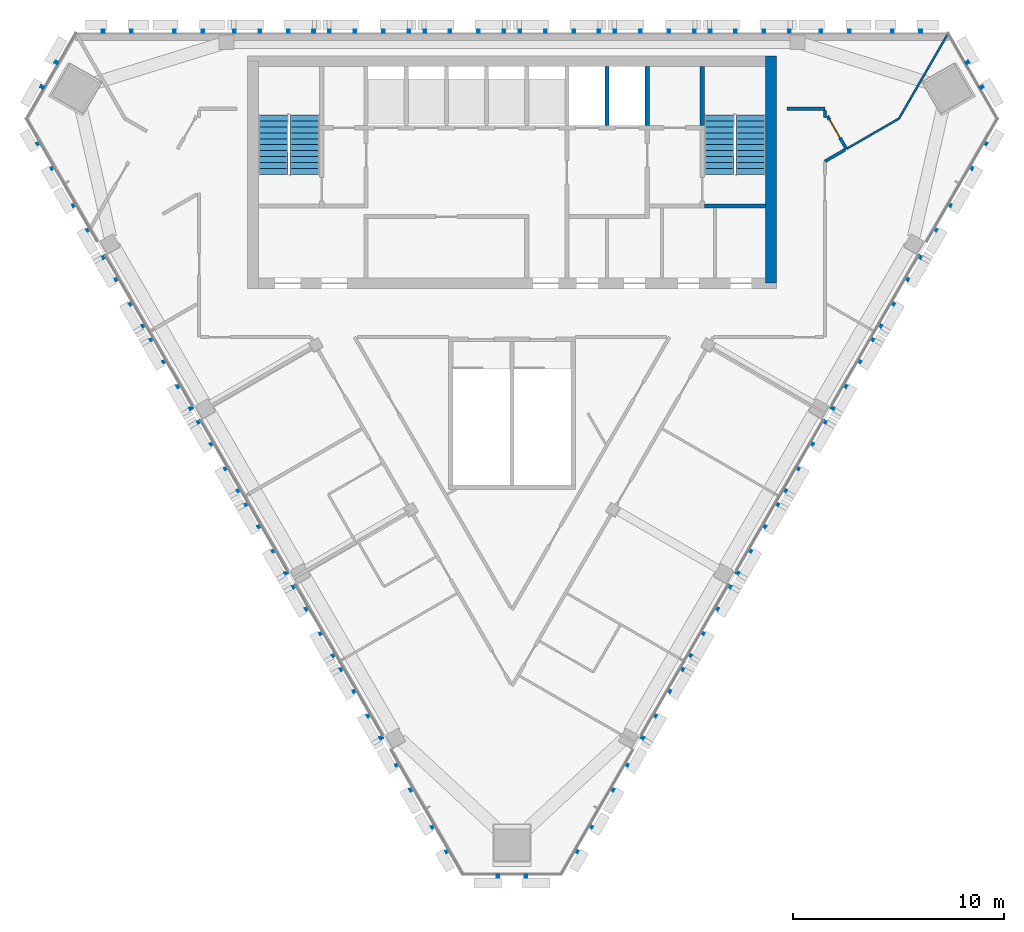
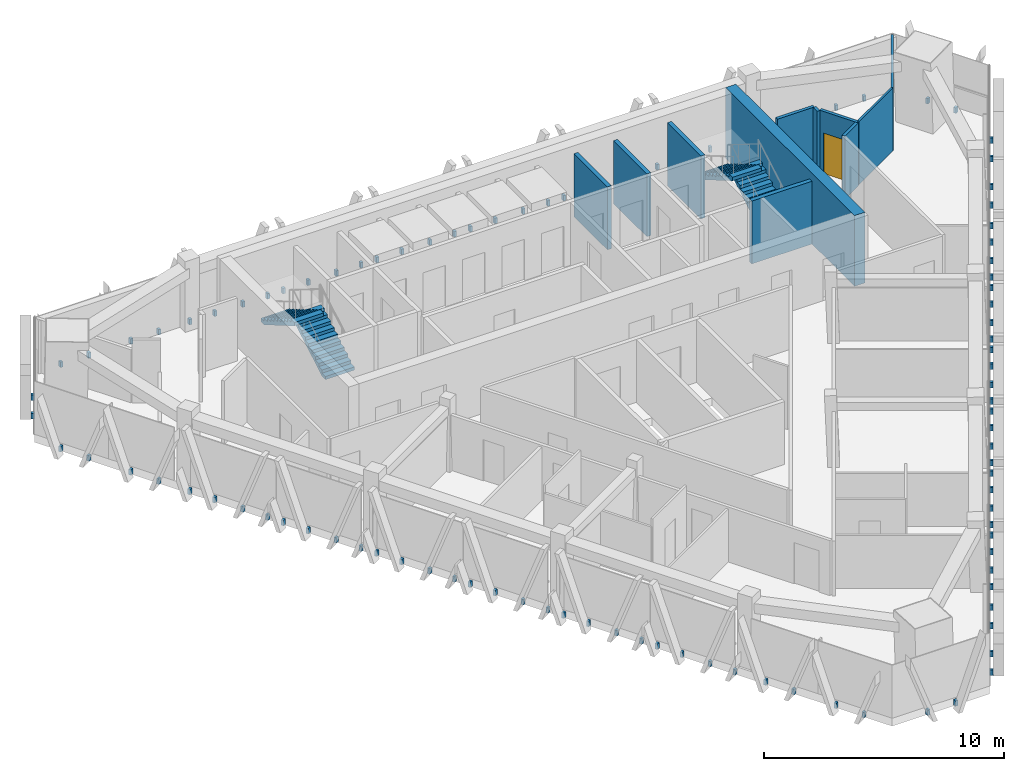
# One storey, part 10 of 12: 11 walls, 6 discrete accessories, 4 stair flights, 1 door, 1 opening, 2 elements without a shape of their own.
"""IFC4 building model written with IfcOpenShell, lengths in metres."""

from ifc_helpers import new_model, si_unit, direction, frame, frame_2d, origin, place, context, subcontext, project, spatial, polyline, rectangle, outline, extrude, source, transform, mapped, material, layer, layer_set, type_object, element, fill, aggregate, save


model = new_model("IFC4")

# Units and contexts
model_context = context("Model", 3, precision=1e-05, world=origin(), true_north=direction((0.0, 1.0)))
body_context = subcontext(model_context, "Body", "Model", "MODEL_VIEW")
ifc_project = project(units=[si_unit("LENGTHUNIT", "METRE"), si_unit("AREAUNIT", "SQUARE_METRE"), si_unit("VOLUMEUNIT", "CUBIC_METRE"), si_unit("PLANEANGLEUNIT", "RADIAN"), si_unit("MASSUNIT", "GRAM", prefix="KILO")], contexts=[model_context])

# Site, building, storey
site_placement = place(None, origin())
site = spatial("IfcSite", under=ifc_project, at=site_placement, CompositionType="ELEMENT")
building_placement = place(site_placement, origin())
building = spatial("IfcBuilding", under=site, at=building_placement, Name="Altiplano Prism Tower", CompositionType="ELEMENT")
storey_placement = place(building_placement, frame((0.0, 0.0, 275.199951171875)))
storey = spatial("IfcBuildingStorey", under=building, at=storey_placement, Name="L71", CompositionType="ELEMENT", Elevation=275.199951171875)

# Walls
ifc_material_1 = material(Name="Concrete C60/75", Category="concrete")
ifc_layer_1 = layer(ifc_material_1, 0.5)
ifc_layer_set_1 = layer_set([ifc_layer_1], Name="Concrete C60/75")
wall_type_1 = type_object("IfcWallType", Name="Core wall 500", PredefinedType="SHEAR", material=ifc_layer_set_1)
wall_1_placement = place(storey_placement, frame((97.25, 93.14990234375, 0.0), z_axis=(0.0, 0.0, 1.0), x_axis=(0.0, 1.0, 0.0)))
element("IfcWall", 1, at=wall_1_placement, inside=storey, type_object=wall_type_1, Name="Core wall E L71", PredefinedType="SHEAR", context=body_context, shape_type="SweptSolid", body=[
    extrude(rectangle(XDim=10.75, YDim=0.5, at=frame_2d((5.375, 0.0))), origin(), (0.0, 0.0, 1.0), 3.60009765625),
])
ifc_material_2 = material(Name="Plasterboard on steel stud", Category="steel")
ifc_layer_2 = layer(ifc_material_2, 0.10009765625)
ifc_layer_set_2 = layer_set([ifc_layer_2], Name="Plasterboard on steel stud")
wall_type_2 = type_object("IfcWallType", Name="Partition 100 wet", PredefinedType="PARTITIONING", material=ifc_layer_set_2)
wall_2_placement = place(storey_placement, frame((105.59228515625, 104.89990234375, 0.0), z_axis=(0.0, 0.0, 1.0), x_axis=(-0.500016357846, -0.866015959371, 0.0)))
element("IfcWall", 2, at=wall_2_placement, inside=storey, type_object=wall_type_2, Name="Partition P03 L71 041", PredefinedType="PARTITIONING", context=body_context, shape_type="SweptSolid", body=[
    extrude(rectangle(XDim=4.577880859375, YDim=0.10009765625, at=frame_2d((2.2890625, 0.0))), origin(), (0.0, 0.0, 1.0), 2.699951171875),
])
wall_3_placement = place(storey_placement, frame((103.30322265625, 100.935302734375, 0.0), z_axis=(0.0, 0.0, 1.0), x_axis=(-0.866031214595, -0.499989935246, 0.0)))
element("IfcWall", 3, at=wall_3_placement, inside=storey, type_object=wall_type_2, Name="Partition P03 L71 042", PredefinedType="PARTITIONING", context=body_context, shape_type="SweptSolid", body=[
    extrude(rectangle(XDim=2.87060546875, YDim=0.10009765625, at=frame_2d((1.435302734375, 0.0))), origin(), (0.0, 0.0, 1.0), 3.199951171875),
])
ifc_layer_3 = layer(ifc_material_2, 0.14990234375)
ifc_layer_set_3 = layer_set([ifc_layer_3], Name="Plasterboard on steel stud")
wall_type_3 = type_object("IfcWallType", Name="Partition 150 corridor", PredefinedType="PARTITIONING", material=ifc_layer_set_3)
wall_4_placement = place(storey_placement, frame((99.800048828125, 98.912841796875, 0.0), z_axis=(0.0, 0.0, 1.0), x_axis=(0.866089444669, 0.499889061526, 0.0)))
element("IfcWall", 4, at=wall_4_placement, inside=storey, type_object=wall_type_3, Name="Partition P06 L71 013", PredefinedType="PARTITIONING", context=body_context, shape_type="SweptSolid", body=[
    extrude(rectangle(XDim=1.099365234375, YDim=0.14990234375, at=frame_2d((0.5498046875, 0.0))), origin(), (0.0, 0.0, 1.0), 3.199951171875),
])

# Wall, opening, door
wall_5_placement = place(storey_placement, frame((100.817138671875, 99.5, 0.0), z_axis=(0.0, 0.0, 1.0), x_axis=(-0.499538486351, 0.866291694901, 0.0)))
wall_5 = element("IfcWall", 5, at=wall_5_placement, inside=storey, type_object=wall_type_3, Name="Partition P06 L71 017", PredefinedType="PARTITIONING", context=body_context, shape_type="SweptSolid", body=[
    extrude(rectangle(XDim=1.800048828125, YDim=0.14990234375, at=frame_2d((0.89990234375, 0.0))), origin(), (0.0, 0.0, 1.0), 3.199951171875),
])
opening_placement = place(wall_5_placement, frame((0.60009765625, 0.0, 0.0)))
opening = element("IfcOpeningElement", 6, at=opening_placement, cuts=wall_5, Name="Opening D2246", PredefinedType="OPENING", context=body_context, shape_type="SweptSolid", body=[
    extrude(rectangle(XDim=1.0, YDim=2.10009765625, at=frame_2d((0.5, 1.050048828125))), frame((0.0, 0.08544921875, 0.0), z_axis=(0.0, -1.0, 0.0), x_axis=(1.0, 0.0, 0.0)), (0.0, 0.0, 1.0), 0.1708984375),
])
ifc_material_3 = material(Name="Timber", Category="wood")
door_type = type_object("IfcDoorType", Name="Store door 1000 x 2100", OperationType="NOTDEFINED", PredefinedType="NOTDEFINED", material=ifc_material_3)
door_placement = place(opening_placement, origin())
door = element("IfcDoor", 7, at=door_placement, inside=storey, type_object=door_type, Name="Door D2246", OperationType="SINGLE_SWING_LEFT", OverallHeight=2.10009765625, OverallWidth=1.0, PredefinedType="NOTDEFINED", context=body_context, shape_type="SweptSolid", body=[
    extrude(rectangle(XDim=1.0, YDim=2.10009765625, at=frame_2d((0.5, 1.050048828125))), frame((0.0, 0.02490234375, 0.0), z_axis=(0.0, -1.0, 0.0), x_axis=(1.0, 0.0, 0.0)), (0.0, 0.0, 1.0), 0.050048828125),
])
fill(opening, door)

# Walls
wall_6_placement = place(storey_placement, frame((99.801025390625, 100.992919921875, 0.0), z_axis=(0.0, 0.0, 1.0), x_axis=(-0.002205876986, 0.99999756705, 0.0)))
element("IfcWall", 8, at=wall_6_placement, inside=storey, type_object=wall_type_3, Name="Partition P06 L71 018", PredefinedType="PARTITIONING", context=body_context, shape_type="SweptSolid", body=[
    extrude(rectangle(XDim=0.33203125, YDim=0.14990234375, at=frame_2d((0.166015625, 0.0))), origin(), (0.0, 0.0, 1.0), 3.199951171875),
])
wall_7_placement = place(storey_placement, frame((99.800048828125, 101.39990234375, 0.0), z_axis=(0.0, 0.0, 1.0), x_axis=(-1.0, 0.0, 0.0)))
element("IfcWall", 9, at=wall_7_placement, inside=storey, type_object=wall_type_3, Name="Partition P06 L71 019", PredefinedType="PARTITIONING", context=body_context, shape_type="SweptSolid", body=[
    extrude(rectangle(XDim=1.800048828125, YDim=0.14990234375, at=frame_2d((0.89990234375, 0.0))), origin(), (0.0, 0.0, 1.0), 3.199951171875),
])
ifc_layer_4 = layer(ifc_material_1, 0.199951171875)
ifc_layer_set_4 = layer_set([ifc_layer_4], Name="Concrete C60/75")
wall_type_4 = type_object("IfcWallType", Name="Shaft wall 200", PredefinedType="SOLIDWALL", material=ifc_layer_set_4)
for number, where, z_axis, x_axis, name in (
    (10, (89.5, 100.60009765625, 0.0), (0.0, 0.0, 1.0), (0.0, 1.0, 0.0), "Shaft wall L71"),
    (11, (91.39990234375, 100.60009765625, 0.0), (0.0, 0.0, 1.0), (0.0, 1.0, 0.0), "Shaft wall L71"),
):
    element("IfcWall", number, at=place(storey_placement, frame(where, z_axis=z_axis, x_axis=x_axis)), inside=storey, type_object=wall_type_4, Name=name, PredefinedType="SOLIDWALL", context=body_context, shape_type="SweptSolid", body=[
        extrude(rectangle(XDim=2.7998046875, YDim=0.199951171875, at=frame_2d((1.39990234375, 0.0))), origin(), (0.0, 0.0, 1.0), 3.199951171875),
    ])
ifc_layer_5 = layer(ifc_material_1, 0.199951171875)
ifc_layer_set_5 = layer_set([ifc_layer_5], Name="Concrete C60/75")
wall_type_5 = type_object("IfcWallType", Name="Stair wall 200", PredefinedType="SOLIDWALL", material=ifc_layer_set_5)
wall_8_placement = place(storey_placement, frame((94.10009765625, 96.800048828125, 0.0), z_axis=(0.0, 0.0, 1.0), x_axis=(1.0, 0.0, 0.0)))
element("IfcWall", 12, at=wall_8_placement, inside=storey, type_object=wall_type_5, Name="Stair wall L71", PredefinedType="SOLIDWALL", context=body_context, shape_type="SweptSolid", body=[
    extrude(rectangle(XDim=2.89990234375, YDim=0.199951171875, at=frame_2d((1.449951171875, 0.0))), origin(), (0.0, 0.0, 1.0), 3.199951171875),
])
wall_9_placement = place(storey_placement, frame((94.0, 100.60009765625, 0.0), z_axis=(0.0, 0.0, 1.0), x_axis=(0.0, 1.0, 0.0)))
element("IfcWall", 13, at=wall_9_placement, inside=storey, type_object=wall_type_5, Name="Stair wall L71", PredefinedType="SOLIDWALL", context=body_context, shape_type="SweptSolid", body=[
    extrude(rectangle(XDim=2.7998046875, YDim=0.199951171875, at=frame_2d((1.39990234375, 0.0))), origin(), (0.0, 0.0, 1.0), 3.199951171875),
])

# Stair, stair flights
ifc_material_4 = material(Name="Concrete C40/50", Category="concrete")
stair_type = type_object("IfcStairType", Name="Exit stair 1400", PredefinedType="HALF_TURN_STAIR", material=ifc_material_4)
stair_1_placement = place(storey_placement, origin())
stair_1 = element("IfcStair", 14, at=stair_1_placement, inside=storey, type_object=stair_type, Name="L71 Exit Stair 1", PredefinedType="HALF_TURN_STAIR")
stair_flight_type = type_object("IfcStairFlightType", Name="Stair flight concrete 150", PredefinedType="STRAIGHT", material=ifc_material_4)
stair_flight_1_placement = place(storey_placement, frame((75.199951171875, 98.300048828125, 0.0), z_axis=(0.0, 0.0, 1.0), x_axis=(0.0, 1.0, 0.0)))
stair_flight_1 = element("IfcStairFlight", 15, at=stair_flight_1_placement, type_object=stair_flight_type, Name="ST1 flight 1", NumberOfRisers=11, NumberOfTreads=10, PredefinedType="STRAIGHT", RiserHeight=0.163636364, TreadLength=0.28, context=body_context, shape_type="SweptSolid", body=[
    extrude(outline(polyline([(0.0, 0.0), (0.0, 0.16357421875), (0.280029296875, 0.16357421875), (0.280029296875, 0.327392578125), (0.56005859375, 0.327392578125), (0.56005859375, 0.490966796875), (0.840087890625, 0.490966796875), (0.840087890625, 0.654541015625), (1.1201171875, 0.654541015625), (1.1201171875, 0.818115234375), (1.39990234375, 0.818115234375), (1.39990234375, 0.98193359375), (1.679931640625, 0.98193359375), (1.679931640625, 1.1455078125), (1.9599609375, 1.1455078125), (1.9599609375, 1.30908203125), (2.239990234375, 1.30908203125), (2.239990234375, 1.47265625), (2.52001953125, 1.47265625), (2.52001953125, 1.636474609375), (2.800048828125, 1.636474609375), (2.800048828125, 1.800048828125), (2.800048828125, 1.462646484375), (0.297119140625, 0.0), (0.0, 0.0)])), frame((0.0, 0.699951171875, 0.0), z_axis=(0.0, -1.0, 0.0), x_axis=(1.0, 0.0, 0.0)), (0.0, 0.0, 1.0), 1.39990234375),
])
stair_flight_2_placement = place(storey_placement, frame((73.699951171875, 101.10009765625, 1.800048828125), z_axis=(0.0, 0.0, 1.0), x_axis=(0.0, -1.0, 0.0)))
stair_flight_2 = element("IfcStairFlight", 16, at=stair_flight_2_placement, type_object=stair_flight_type, Name="ST1 flight 2", NumberOfRisers=11, NumberOfTreads=10, PredefinedType="STRAIGHT", RiserHeight=0.163636364, TreadLength=0.28, context=body_context, shape_type="SweptSolid", body=[
    extrude(outline(polyline([(0.0, 0.0), (0.0, 0.16357421875), (0.280029296875, 0.16357421875), (0.280029296875, 0.327392578125), (0.56005859375, 0.327392578125), (0.56005859375, 0.490966796875), (0.840087890625, 0.490966796875), (0.840087890625, 0.654541015625), (1.1201171875, 0.654541015625), (1.1201171875, 0.818115234375), (1.39990234375, 0.818115234375), (1.39990234375, 0.98193359375), (1.679931640625, 0.98193359375), (1.679931640625, 1.1455078125), (1.9599609375, 1.1455078125), (1.9599609375, 1.30908203125), (2.239990234375, 1.30908203125), (2.239990234375, 1.47265625), (2.52001953125, 1.47265625), (2.52001953125, 1.636474609375), (2.800048828125, 1.636474609375), (2.800048828125, 1.800048828125), (2.800048828125, 1.462646484375), (0.297119140625, 0.0), (0.0, 0.0)])), frame((0.0, 0.699951171875, 0.0), z_axis=(0.0, -1.0, 0.0), x_axis=(1.0, 0.0, 0.0)), (0.0, 0.0, 1.0), 1.39990234375),
])
aggregate(stair_1, [stair_flight_1, stair_flight_2])

stair_2_placement = place(storey_placement, origin())
stair_2 = element("IfcStair", 17, at=stair_2_placement, inside=storey, type_object=stair_type, Name="L71 Exit Stair 2", PredefinedType="HALF_TURN_STAIR")
stair_flight_3_placement = place(storey_placement, frame((96.300048828125, 98.300048828125, 0.0), z_axis=(0.0, 0.0, 1.0), x_axis=(0.0, 1.0, 0.0)))
stair_flight_3 = element("IfcStairFlight", 18, at=stair_flight_3_placement, type_object=stair_flight_type, Name="ST2 flight 1", NumberOfRisers=11, NumberOfTreads=10, PredefinedType="STRAIGHT", RiserHeight=0.163636364, TreadLength=0.28, context=body_context, shape_type="SweptSolid", body=[
    extrude(outline(polyline([(0.0, 0.0), (0.0, 0.16357421875), (0.280029296875, 0.16357421875), (0.280029296875, 0.327392578125), (0.56005859375, 0.327392578125), (0.56005859375, 0.490966796875), (0.840087890625, 0.490966796875), (0.840087890625, 0.654541015625), (1.1201171875, 0.654541015625), (1.1201171875, 0.818115234375), (1.39990234375, 0.818115234375), (1.39990234375, 0.98193359375), (1.679931640625, 0.98193359375), (1.679931640625, 1.1455078125), (1.9599609375, 1.1455078125), (1.9599609375, 1.30908203125), (2.239990234375, 1.30908203125), (2.239990234375, 1.47265625), (2.52001953125, 1.47265625), (2.52001953125, 1.636474609375), (2.800048828125, 1.636474609375), (2.800048828125, 1.800048828125), (2.800048828125, 1.462646484375), (0.297119140625, 0.0), (0.0, 0.0)])), frame((0.0, 0.699951171875, 0.0), z_axis=(0.0, -1.0, 0.0), x_axis=(1.0, 0.0, 0.0)), (0.0, 0.0, 1.0), 1.39990234375),
])
stair_flight_4_placement = place(storey_placement, frame((94.800048828125, 101.10009765625, 1.800048828125), z_axis=(0.0, 0.0, 1.0), x_axis=(0.0, -1.0, 0.0)))
stair_flight_4 = element("IfcStairFlight", 19, at=stair_flight_4_placement, type_object=stair_flight_type, Name="ST2 flight 2", NumberOfRisers=11, NumberOfTreads=10, PredefinedType="STRAIGHT", RiserHeight=0.163636364, TreadLength=0.28, context=body_context, shape_type="SweptSolid", body=[
    extrude(outline(polyline([(0.0, 0.0), (0.0, 0.16357421875), (0.280029296875, 0.16357421875), (0.280029296875, 0.327392578125), (0.56005859375, 0.327392578125), (0.56005859375, 0.490966796875), (0.840087890625, 0.490966796875), (0.840087890625, 0.654541015625), (1.1201171875, 0.654541015625), (1.1201171875, 0.818115234375), (1.39990234375, 0.818115234375), (1.39990234375, 0.98193359375), (1.679931640625, 0.98193359375), (1.679931640625, 1.1455078125), (1.9599609375, 1.1455078125), (1.9599609375, 1.30908203125), (2.239990234375, 1.30908203125), (2.239990234375, 1.47265625), (2.52001953125, 1.47265625), (2.52001953125, 1.636474609375), (2.800048828125, 1.636474609375), (2.800048828125, 1.800048828125), (2.800048828125, 1.462646484375), (0.297119140625, 0.0), (0.0, 0.0)])), frame((0.0, 0.699951171875, 0.0), z_axis=(0.0, -1.0, 0.0), x_axis=(1.0, 0.0, 0.0)), (0.0, 0.0, 1.0), 1.39990234375),
])
aggregate(stair_2, [stair_flight_3, stair_flight_4])

# Discrete accessories
ifc_material_5 = material(Name="Stainless steel", Category="steel")
discrete_accessory_type = type_object("IfcDiscreteAccessoryType", Name="Stone fin fixing prongs", PredefinedType="USERDEFINED", material=ifc_material_5)
shared_shape_1 = source(origin(), body_context, "Body", "SweptSolid", [
    extrude(outline(polyline([(-0.73291015625, 0.06005859375), (-0.61279296875, 0.06005859375), (-0.61279296875, 0.340087890625), (-0.73291015625, 0.340087890625), (-0.73291015625, 0.06005859375)])), frame((0.0, 0.0, 0.0), z_axis=(0.0, -1.0, 0.0), x_axis=(1.0, 0.0, 0.0)), (0.0, 0.0, 1.0), 0.14990234375),
    extrude(outline(polyline([(0.61279296875, 0.06005859375), (0.73291015625, 0.06005859375), (0.73291015625, 0.340087890625), (0.61279296875, 0.340087890625), (0.61279296875, 0.06005859375)])), frame((0.0, 0.0, 0.0), z_axis=(0.0, -1.0, 0.0), x_axis=(1.0, 0.0, 0.0)), (0.0, 0.0, 1.0), 0.14990234375),
])
shared_shape_2 = source(origin(), body_context, "Body", "SweptSolid", [
    extrude(outline(polyline([(-0.73291015625, 0.06005859375), (-0.61279296875, 0.06005859375), (-0.61279296875, 0.340087890625), (-0.73291015625, 0.340087890625), (-0.73291015625, 0.06005859375)])), frame((0.0, 0.0, 0.0), z_axis=(0.0, -1.0, 0.0), x_axis=(1.0, 0.0, 0.0)), (0.0, 0.0, 1.0), 0.14990234375),
    extrude(outline(polyline([(0.61279296875, 0.06005859375), (0.73291015625, 0.06005859375), (0.73291015625, 0.340087890625), (0.61279296875, 0.340087890625), (0.61279296875, 0.06005859375)])), frame((0.0, 0.0, 0.0), z_axis=(0.0, -1.0, 0.0), x_axis=(1.0, 0.0, 0.0)), (0.0, 0.0, 1.0), 0.14990234375),
])
shared_shape_3 = source(origin(), body_context, "Body", "SweptSolid", [
    extrude(outline(polyline([(-1.932861328125, 0.06005859375), (-1.812744140625, 0.06005859375), (-1.812744140625, 0.340087890625), (-1.932861328125, 0.340087890625), (-1.932861328125, 0.06005859375)])), frame((0.0, 0.0, 0.0), z_axis=(0.0, -1.0, 0.0), x_axis=(1.0, 0.0, 0.0)), (0.0, 0.0, 1.0), 0.14990234375),
    extrude(outline(polyline([(-0.73291015625, 0.06005859375), (-0.61279296875, 0.06005859375), (-0.61279296875, 0.340087890625), (-0.73291015625, 0.340087890625), (-0.73291015625, 0.06005859375)])), frame((0.0, 0.0, 0.0), z_axis=(0.0, -1.0, 0.0), x_axis=(1.0, 0.0, 0.0)), (0.0, 0.0, 1.0), 0.14990234375),
    extrude(outline(polyline([(0.61279296875, 0.06005859375), (0.73291015625, 0.06005859375), (0.73291015625, 0.340087890625), (0.61279296875, 0.340087890625), (0.61279296875, 0.06005859375)])), frame((0.0, 0.0, 0.0), z_axis=(0.0, -1.0, 0.0), x_axis=(1.0, 0.0, 0.0)), (0.0, 0.0, 1.0), 0.14990234375),
    extrude(outline(polyline([(1.812744140625, 0.06005859375), (1.932861328125, 0.06005859375), (1.932861328125, 0.340087890625), (1.812744140625, 0.340087890625), (1.812744140625, 0.06005859375)])), frame((0.0, 0.0, 0.0), z_axis=(0.0, -1.0, 0.0), x_axis=(1.0, 0.0, 0.0)), (0.0, 0.0, 1.0), 0.14990234375),
])
discrete_accessory_1_placement = place(storey_placement, origin())
element("IfcDiscreteAccessory", 20, at=discrete_accessory_1_placement, inside=storey, type_object=discrete_accessory_type, Name="Fin fixings L71 north face", ObjectType="BRACKET", PredefinedType="USERDEFINED", context=body_context, shape_type="MappedRepresentation", body=[
    mapped(shared_shape_1, transform((103.66259765625, 105.0, -0.39990234375), x_axis=(-1.0, 0.0, 0.0), y_axis=(0.0, -1.0, 0.0), z_axis=(0.0, 0.0, 1.0))),
    mapped(shared_shape_2, transform((100.28759765625, 105.0, -0.39990234375), x_axis=(-1.0, 0.0, 0.0), y_axis=(0.0, -1.0, 0.0), z_axis=(0.0, 0.0, 1.0))),
    mapped(shared_shape_3, transform((96.25, 105.0, -0.39990234375), x_axis=(-1.0, 0.0, 0.0), y_axis=(0.0, -1.0, 0.0), z_axis=(0.0, 0.0, 1.0))),
    mapped(shared_shape_3, transform((91.75, 105.0, -0.39990234375), x_axis=(-1.0, 0.0, 0.0), y_axis=(0.0, -1.0, 0.0), z_axis=(0.0, 0.0, 1.0))),
    mapped(shared_shape_3, transform((87.25, 105.0, -0.39990234375), x_axis=(-1.0, 0.0, 0.0), y_axis=(0.0, -1.0, 0.0), z_axis=(0.0, 0.0, 1.0))),
    mapped(shared_shape_3, transform((82.75, 105.0, -0.39990234375), x_axis=(-1.0, 0.0, 0.0), y_axis=(0.0, -1.0, 0.0), z_axis=(0.0, 0.0, 1.0))),
    mapped(shared_shape_3, transform((78.25, 105.0, -0.39990234375), x_axis=(-1.0, 0.0, 0.0), y_axis=(0.0, -1.0, 0.0), z_axis=(0.0, 0.0, 1.0))),
    mapped(shared_shape_3, transform((73.75, 105.0, -0.39990234375), x_axis=(-1.0, 0.0, 0.0), y_axis=(0.0, -1.0, 0.0), z_axis=(0.0, 0.0, 1.0))),
    mapped(shared_shape_2, transform((69.71240234375, 105.0, -0.39990234375), x_axis=(-1.0, 0.0, 0.0), y_axis=(0.0, -1.0, 0.0), z_axis=(0.0, 0.0, 1.0))),
    mapped(shared_shape_1, transform((66.33740234375, 105.0, -0.39990234375), x_axis=(-1.0, 0.0, 0.0), y_axis=(0.0, -1.0, 0.0), z_axis=(0.0, 0.0, 1.0))),
])
discrete_accessory_2_placement = place(storey_placement, origin())
element("IfcDiscreteAccessory", 21, at=discrete_accessory_2_placement, inside=storey, type_object=discrete_accessory_type, Name="Fin fixings L71 south-west face", ObjectType="BRACKET", PredefinedType="USERDEFINED", context=body_context, shape_type="MappedRepresentation", body=[
    mapped(shared_shape_1, transform((62.9970703125, 99.214111328125, -0.39990234375), x_axis=(0.499999996041, -0.86602540607, 0.0), y_axis=(0.86602540607, 0.499999996041, 0.0), z_axis=(0.0, 0.0, 1.0))),
    mapped(shared_shape_2, transform((64.6845703125, 96.291259765625, -0.39990234375), x_axis=(0.499999996041, -0.86602540607, 0.0), y_axis=(0.86602540607, 0.499999996041, 0.0), z_axis=(0.0, 0.0, 1.0))),
    mapped(shared_shape_3, transform((66.703369140625, 92.794677734375, -0.39990234375), x_axis=(0.499999996041, -0.86602540607, 0.0), y_axis=(0.86602540607, 0.499999996041, 0.0), z_axis=(0.0, 0.0, 1.0))),
    mapped(shared_shape_3, transform((68.953369140625, 88.897705078125, -0.39990234375), x_axis=(0.499999996041, -0.86602540607, 0.0), y_axis=(0.86602540607, 0.499999996041, 0.0), z_axis=(0.0, 0.0, 1.0))),
    mapped(shared_shape_3, transform((71.203369140625, 85.00048828125, -0.39990234375), x_axis=(0.499999996041, -0.86602540607, 0.0), y_axis=(0.86602540607, 0.499999996041, 0.0), z_axis=(0.0, 0.0, 1.0))),
    mapped(shared_shape_3, transform((73.453369140625, 81.103515625, -0.39990234375), x_axis=(0.499999996041, -0.86602540607, 0.0), y_axis=(0.86602540607, 0.499999996041, 0.0), z_axis=(0.0, 0.0, 1.0))),
    mapped(shared_shape_3, transform((75.703369140625, 77.206298828125, -0.39990234375), x_axis=(0.499999996041, -0.86602540607, 0.0), y_axis=(0.86602540607, 0.499999996041, 0.0), z_axis=(0.0, 0.0, 1.0))),
    mapped(shared_shape_3, transform((77.953369140625, 73.30908203125, -0.39990234375), x_axis=(0.499999996041, -0.86602540607, 0.0), y_axis=(0.86602540607, 0.499999996041, 0.0), z_axis=(0.0, 0.0, 1.0))),
    mapped(shared_shape_2, transform((79.97216796875, 69.8125, -0.39990234375), x_axis=(0.499999996041, -0.86602540607, 0.0), y_axis=(0.86602540607, 0.499999996041, 0.0), z_axis=(0.0, 0.0, 1.0))),
    mapped(shared_shape_1, transform((81.65966796875, 66.8896484375, -0.39990234375), x_axis=(0.499999996041, -0.86602540607, 0.0), y_axis=(0.86602540607, 0.499999996041, 0.0), z_axis=(0.0, 0.0, 1.0))),
])
discrete_accessory_3_placement = place(storey_placement, origin())
element("IfcDiscreteAccessory", 22, at=discrete_accessory_3_placement, inside=storey, type_object=discrete_accessory_type, Name="Fin fixings L71 south-east face", ObjectType="BRACKET", PredefinedType="USERDEFINED", context=body_context, shape_type="MappedRepresentation", body=[
    mapped(shared_shape_1, transform((88.34033203125, 66.8896484375, -0.39990234375), x_axis=(0.499999996041, 0.86602540607, 0.0), y_axis=(-0.86602540607, 0.499999996041, 0.0), z_axis=(0.0, 0.0, 1.0))),
    mapped(shared_shape_2, transform((90.02783203125, 69.8125, -0.39990234375), x_axis=(0.499999996041, 0.86602540607, 0.0), y_axis=(-0.86602540607, 0.499999996041, 0.0), z_axis=(0.0, 0.0, 1.0))),
    mapped(shared_shape_3, transform((92.046630859375, 73.30908203125, -0.39990234375), x_axis=(0.499999996041, 0.86602540607, 0.0), y_axis=(-0.86602540607, 0.499999996041, 0.0), z_axis=(0.0, 0.0, 1.0))),
    mapped(shared_shape_3, transform((94.296630859375, 77.206298828125, -0.39990234375), x_axis=(0.499999996041, 0.86602540607, 0.0), y_axis=(-0.86602540607, 0.499999996041, 0.0), z_axis=(0.0, 0.0, 1.0))),
    mapped(shared_shape_3, transform((96.546630859375, 81.103515625, -0.39990234375), x_axis=(0.499999996041, 0.86602540607, 0.0), y_axis=(-0.86602540607, 0.499999996041, 0.0), z_axis=(0.0, 0.0, 1.0))),
    mapped(shared_shape_3, transform((98.796630859375, 85.00048828125, -0.39990234375), x_axis=(0.499999996041, 0.86602540607, 0.0), y_axis=(-0.86602540607, 0.499999996041, 0.0), z_axis=(0.0, 0.0, 1.0))),
    mapped(shared_shape_3, transform((101.046630859375, 88.897705078125, -0.39990234375), x_axis=(0.499999996041, 0.86602540607, 0.0), y_axis=(-0.86602540607, 0.499999996041, 0.0), z_axis=(0.0, 0.0, 1.0))),
    mapped(shared_shape_3, transform((103.296630859375, 92.794677734375, -0.39990234375), x_axis=(0.499999996041, 0.86602540607, 0.0), y_axis=(-0.86602540607, 0.499999996041, 0.0), z_axis=(0.0, 0.0, 1.0))),
    mapped(shared_shape_2, transform((105.3154296875, 96.291259765625, -0.39990234375), x_axis=(0.499999996041, 0.86602540607, 0.0), y_axis=(-0.86602540607, 0.499999996041, 0.0), z_axis=(0.0, 0.0, 1.0))),
    mapped(shared_shape_1, transform((107.0029296875, 99.214111328125, -0.39990234375), x_axis=(0.499999996041, 0.86602540607, 0.0), y_axis=(-0.86602540607, 0.499999996041, 0.0), z_axis=(0.0, 0.0, 1.0))),
])
shared_shape_4 = source(origin(), body_context, "Body", "SweptSolid", [
    extrude(outline(polyline([(-0.73291015625, 0.06005859375), (-0.61279296875, 0.06005859375), (-0.61279296875, 0.340087890625), (-0.73291015625, 0.340087890625), (-0.73291015625, 0.06005859375)])), frame((0.0, 0.0, 0.0), z_axis=(0.0, -1.0, 0.0), x_axis=(1.0, 0.0, 0.0)), (0.0, 0.0, 1.0), 0.14990234375),
    extrude(outline(polyline([(0.61279296875, 0.06005859375), (0.73291015625, 0.06005859375), (0.73291015625, 0.340087890625), (0.61279296875, 0.340087890625), (0.61279296875, 0.06005859375)])), frame((0.0, 0.0, 0.0), z_axis=(0.0, -1.0, 0.0), x_axis=(1.0, 0.0, 0.0)), (0.0, 0.0, 1.0), 0.14990234375),
])
discrete_accessory_4_placement = place(storey_placement, origin())
element("IfcDiscreteAccessory", 23, at=discrete_accessory_4_placement, inside=storey, type_object=discrete_accessory_type, Name="Fin fixings L71 north-west chamfer", ObjectType="BRACKET", PredefinedType="USERDEFINED", context=body_context, shape_type="MappedRepresentation", body=[
    mapped(shared_shape_4, transform((63.176513671875, 102.9677734375, -0.39990234375), x_axis=(-0.500000037183, -0.866025382317, 0.0), y_axis=(0.866025382317, -0.500000037183, 0.0), z_axis=(0.0, 0.0, 1.0))),
])
discrete_accessory_5_placement = place(storey_placement, origin())
element("IfcDiscreteAccessory", 24, at=discrete_accessory_5_placement, inside=storey, type_object=discrete_accessory_type, Name="Fin fixings L71 south chamfer", ObjectType="BRACKET", PredefinedType="USERDEFINED", context=body_context, shape_type="MappedRepresentation", body=[
    mapped(shared_shape_4, transform((85.0, 65.16845703125, -0.39990234375), x_axis=(1.0, 0.0, 0.0), y_axis=(0.0, 1.0, 0.0), z_axis=(0.0, 0.0, 1.0))),
])
discrete_accessory_6_placement = place(storey_placement, origin())
element("IfcDiscreteAccessory", 25, at=discrete_accessory_6_placement, inside=storey, type_object=discrete_accessory_type, Name="Fin fixings L71 north-east chamfer", ObjectType="BRACKET", PredefinedType="USERDEFINED", context=body_context, shape_type="MappedRepresentation", body=[
    mapped(shared_shape_4, transform((106.823486328125, 102.9677734375, -0.39990234375), x_axis=(-0.500000037183, 0.866025382317, 0.0), y_axis=(-0.866025382317, -0.500000037183, 0.0), z_axis=(0.0, 0.0, 1.0))),
])

save(model, "model.ifc")
